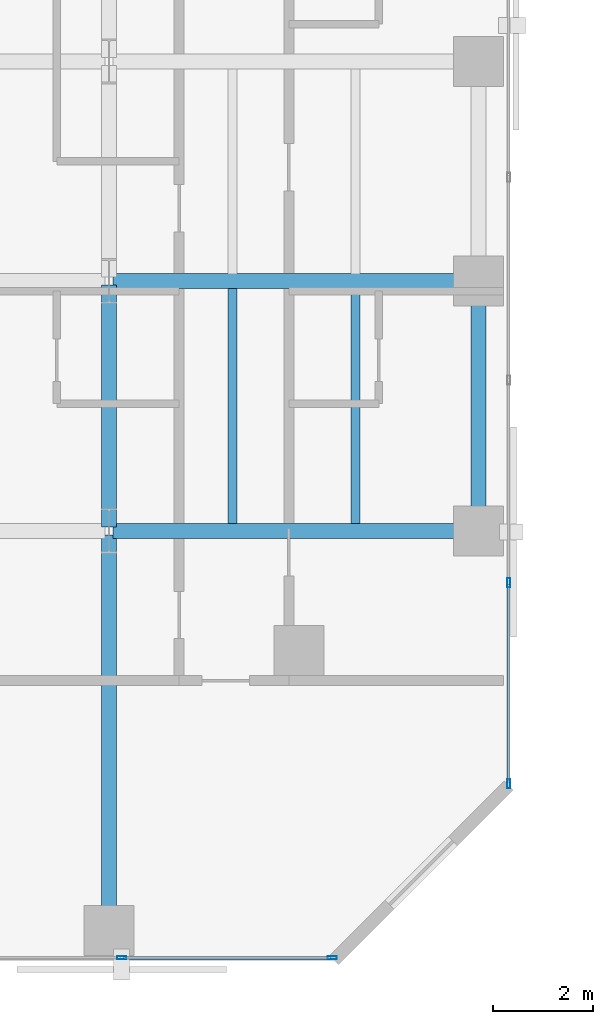
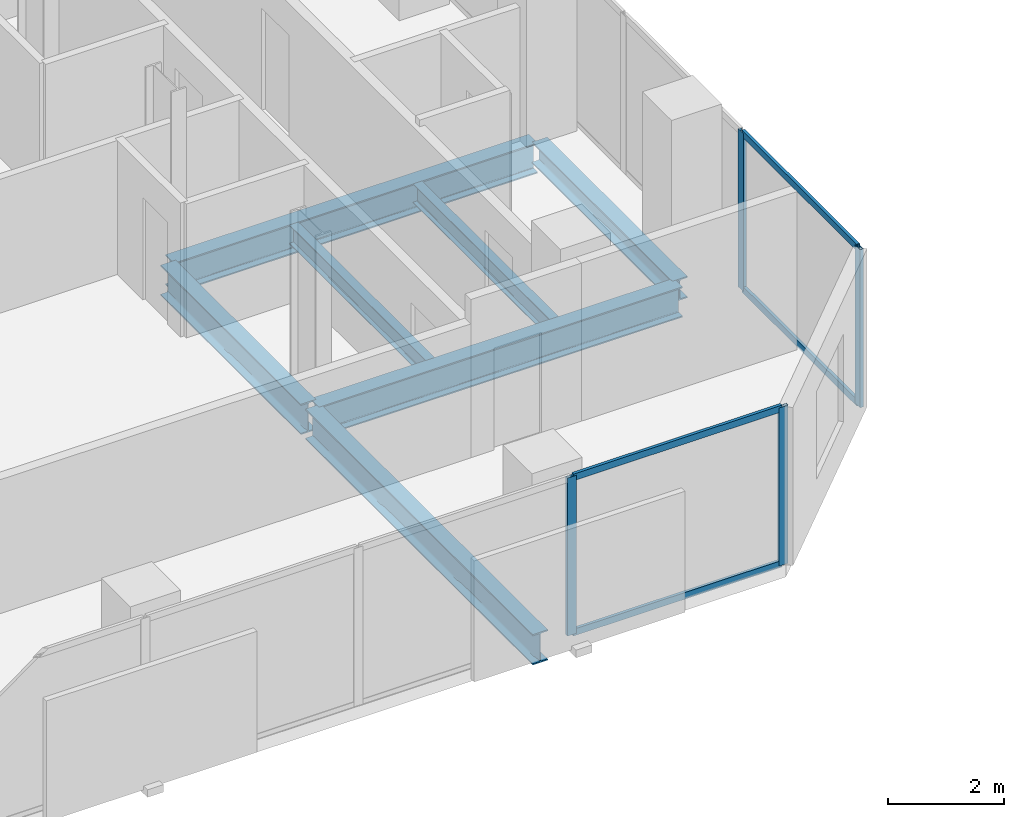
# One storey, part 6 of 31: 8 members, 7 beams, 2 elements without a shape of their own.
"""IFC4 building model written with IfcOpenShell, lengths in metres."""

from ifc_helpers import new_model, si_unit, direction, frame, origin, origin_2d, place, context, subcontext, project, spatial, hollow_rectangle, i_section, extrude, material, layer, layer_set, material_profile, profile_set, type_object, element, aggregate, save


model = new_model("IFC4")

# Units and contexts
model_context = context("Model", 3, precision=1e-05, world=origin(), true_north=direction((0.0, 1.0)))
body_context = subcontext(model_context, "Body", "Model", "MODEL_VIEW")
ifc_project = project(units=[si_unit("LENGTHUNIT", "METRE"), si_unit("AREAUNIT", "SQUARE_METRE"), si_unit("VOLUMEUNIT", "CUBIC_METRE"), si_unit("PLANEANGLEUNIT", "RADIAN"), si_unit("MASSUNIT", "GRAM", prefix="KILO")], contexts=[model_context])

# Site, building, storey
site_placement = place(None, origin())
site = spatial("IfcSite", under=ifc_project, at=site_placement, CompositionType="ELEMENT")
building_placement = place(site_placement, origin())
building = spatial("IfcBuilding", under=site, at=building_placement, Name="Catumbela Crestline Tower", CompositionType="ELEMENT")
storey_placement = place(building_placement, frame((0.0, 0.0, 36.6)))
storey = spatial("IfcBuildingStorey", under=building, at=storey_placement, Name="L08", CompositionType="ELEMENT", Elevation=36.6)

# Beams
ifc_material_1 = material(Name="Structural steel S355J2", Category="steel")
ifc_material_profile_1 = material_profile(ifc_material_1, i_section(OverallWidth=0.3, OverallDepth=0.64, WebThickness=0.0135, FlangeThickness=0.026, FilletRadius=0.027, at=origin_2d()), Name="HEA 650")
ifc_profile_set_1 = profile_set([ifc_material_profile_1], Name="Structural steel S355J2")
beam_type_1 = type_object("IfcBeamType", Name="BG-HEA650", PredefinedType="BEAM", material=ifc_profile_set_1)
for number, where, z_axis, x_axis, name in (
    (1, (16.08, 8.6, -0.58), (1.0, 0.0, 0.0), (0.0, 1.0, 0.0), "L08 Beam BM-L08-WEW50"),
    (2, (16.08, 13.6, -0.58), (1.0, 0.0, 0.0), (0.0, 1.0, 0.0), "L08 Beam BM-L08-WEW53"),
):
    element("IfcBeam", number, at=place(storey_placement, frame(where, z_axis=z_axis, x_axis=x_axis)), inside=storey, type_object=beam_type_1, Name=name, PredefinedType="BEAM", context=body_context, shape_type="SweptSolid", body=[
        extrude(i_section(OverallWidth=0.3, OverallDepth=0.64, WebThickness=0.0135, FlangeThickness=0.026, FilletRadius=0.027, at=origin_2d()), origin(), (0.0, 0.0, 1.0), 7.24),
    ])
beam_1_placement = place(storey_placement, frame((16.0, 0.68, -0.58), z_axis=(0.0, 1.0, 0.0), x_axis=(-1.0, 0.0, 0.0)))
element("IfcBeam", 3, at=beam_1_placement, inside=storey, type_object=beam_type_1, Name="L08 Beam BM-L08-WNS64", PredefinedType="BEAM", context=body_context, shape_type="SweptSolid", body=[
    extrude(i_section(OverallWidth=0.3, OverallDepth=0.64, WebThickness=0.0135, FlangeThickness=0.026, FilletRadius=0.027, at=origin_2d()), origin(), (0.0, 0.0, 1.0), 7.84),
])
beam_2_placement = place(storey_placement, frame((16.0, 8.68, -0.58), z_axis=(0.0, 1.0, 0.0), x_axis=(-1.0, 0.0, 0.0)))
element("IfcBeam", 4, at=beam_2_placement, inside=storey, type_object=beam_type_1, Name="L08 Beam BM-L08-WNS65", PredefinedType="BEAM", context=body_context, shape_type="SweptSolid", body=[
    extrude(i_section(OverallWidth=0.3, OverallDepth=0.64, WebThickness=0.0135, FlangeThickness=0.026, FilletRadius=0.027, at=origin_2d()), origin(), (0.0, 0.0, 1.0), 4.84),
])
ifc_material_profile_2 = material_profile(ifc_material_1, i_section(OverallWidth=0.18, OverallDepth=0.4, WebThickness=0.0086, FlangeThickness=0.0135, FilletRadius=0.021, at=origin_2d()), Name="IPE 400")
ifc_profile_set_2 = profile_set([ifc_material_profile_2], Name="Structural steel S355J2")
beam_type_2 = type_object("IfcBeamType", Name="BJ-IPE400", PredefinedType="JOIST", material=ifc_profile_set_2)
for number, where, z_axis, x_axis, name in (
    (5, (18.467, 8.747, -0.46), (0.0, 1.0, 0.0), (-1.0, 0.0, 0.0), "L08 Joist JS-L08-WG74"),
    (6, (20.933, 8.747, -0.46), (0.0, 1.0, 0.0), (-1.0, 0.0, 0.0), "L08 Joist JS-L08-WG75"),
):
    element("IfcBeam", number, at=place(storey_placement, frame(where, z_axis=z_axis, x_axis=x_axis)), inside=storey, type_object=beam_type_2, Name=name, PredefinedType="JOIST", context=body_context, shape_type="SweptSolid", body=[
        extrude(i_section(OverallWidth=0.18, OverallDepth=0.4, WebThickness=0.0086, FlangeThickness=0.0135, FilletRadius=0.021, at=origin_2d()), origin(), (0.0, 0.0, 1.0), 4.706),
    ])

# Curtain wall, members
ifc_material_2 = material(Name="Aluminium alloy AW-6060-T66", Category="aluminium")
ifc_layer = layer(ifc_material_2, 0.18, Name="Aluminium alloy AW-6060-T66")
ifc_layer_set = layer_set([ifc_layer], Name="Aluminium alloy AW-6060-T66")
curtain_wall_type = type_object("IfcCurtainWallType", Name="CWU-Z1", PredefinedType="USERDEFINED", material=ifc_layer_set)
curtain_wall_1_placement = place(storey_placement, origin())
curtain_wall_1 = element("IfcCurtainWall", 7, at=curtain_wall_1_placement, inside=storey, type_object=curtain_wall_type, Name="L08 Unitised Curtain Wall CW-L08-E0S1", ObjectType="UNITISED", PredefinedType="USERDEFINED")
ifc_material_profile_3 = material_profile(ifc_material_2, hollow_rectangle(XDim=0.065, YDim=0.18, WallThickness=0.004, at=origin_2d()), Name="ALU 180x65x4")
ifc_profile_set_3 = profile_set([ifc_material_profile_3], Name="Aluminium alloy AW-6060-T66")
member_type_1 = type_object("IfcMemberType", Name="MUL-180X65", PredefinedType="MULLION", material=ifc_profile_set_3)
member_1_placement = place(storey_placement, frame((16.25, 0.05, 0.0), z_axis=(0.0, 0.0, 1.0), x_axis=(0.0, 1.0, 0.0)))
member_1 = element("IfcMember", 8, at=member_1_placement, type_object=member_type_1, Name="CWU-Z1 mullion 4", PredefinedType="MULLION", context=body_context, shape_type="SweptSolid", body=[
    extrude(hollow_rectangle(XDim=0.065, YDim=0.18, WallThickness=0.004, at=origin_2d()), origin(), (0.0, 0.0, 1.0), 3.33),
])
member_2_placement = place(storey_placement, frame((20.4675, 0.05, 0.0), z_axis=(0.0, 0.0, 1.0), x_axis=(0.0, 1.0, 0.0)))
member_2 = element("IfcMember", 9, at=member_2_placement, type_object=member_type_1, Name="CWU-Z1 mullion 5", PredefinedType="MULLION", context=body_context, shape_type="SweptSolid", body=[
    extrude(hollow_rectangle(XDim=0.065, YDim=0.18, WallThickness=0.004, at=origin_2d()), origin(), (0.0, 0.0, 1.0), 3.33),
])

curtain_wall_2_placement = place(storey_placement, origin())
curtain_wall_2 = element("IfcCurtainWall", 10, at=curtain_wall_2_placement, inside=storey, type_object=curtain_wall_type, Name="L08 Unitised Curtain Wall CW-L08-E2S1", ObjectType="UNITISED", PredefinedType="USERDEFINED")
member_3_placement = place(storey_placement, frame((24.0, 3.5325, 0.0), z_axis=(0.0, 0.0, 1.0), x_axis=(-1.0, 0.0, 0.0)))
member_3 = element("IfcMember", 11, at=member_3_placement, type_object=member_type_1, Name="CWU-Z1 mullion 1", PredefinedType="MULLION", context=body_context, shape_type="SweptSolid", body=[
    extrude(hollow_rectangle(XDim=0.065, YDim=0.18, WallThickness=0.004, at=origin_2d()), origin(), (0.0, 0.0, 1.0), 3.33),
])
member_4_placement = place(storey_placement, frame((24.0, 7.56, 0.0), z_axis=(0.0, 0.0, 1.0), x_axis=(-1.0, 0.0, 0.0)))
member_4 = element("IfcMember", 12, at=member_4_placement, type_object=member_type_1, Name="CWU-Z1 mullion 2", PredefinedType="MULLION", context=body_context, shape_type="SweptSolid", body=[
    extrude(hollow_rectangle(XDim=0.065, YDim=0.18, WallThickness=0.004, at=origin_2d()), origin(), (0.0, 0.0, 1.0), 3.33),
])

# Beam
ifc_material_profile_4 = material_profile(ifc_material_1, i_section(OverallWidth=0.3, OverallDepth=0.45, WebThickness=0.014, FlangeThickness=0.026, FilletRadius=0.027, at=origin_2d()), Name="HEB 450")
ifc_profile_set_4 = profile_set([ifc_material_profile_4], Name="Structural steel S355J2")
beam_type_3 = type_object("IfcBeamType", Name="BS-HEB450", PredefinedType="SPANDREL", material=ifc_profile_set_4)
beam_3_placement = place(storey_placement, frame((23.4, 8.68, -0.485), z_axis=(0.0, 1.0, 0.0), x_axis=(-1.0, 0.0, 0.0)))
element("IfcBeam", 13, at=beam_3_placement, inside=storey, type_object=beam_type_3, Name="L08 Spandrel SP-L08-WNS68", PredefinedType="SPANDREL", context=body_context, shape_type="SweptSolid", body=[
    extrude(i_section(OverallWidth=0.3, OverallDepth=0.45, WebThickness=0.014, FlangeThickness=0.026, FilletRadius=0.027, at=origin_2d()), origin(), (0.0, 0.0, 1.0), 4.84),
])

# Member
ifc_material_profile_5 = material_profile(ifc_material_2, hollow_rectangle(XDim=0.06, YDim=0.14, WallThickness=0.004, at=origin_2d()), Name="ALU 140x60x4")
ifc_profile_set_5 = profile_set([ifc_material_profile_5], Name="Aluminium alloy AW-6060-T66")
member_type_2 = type_object("IfcMemberType", Name="TRN-140X60", PredefinedType="USERDEFINED", material=ifc_profile_set_5)
member_5_placement = place(storey_placement, frame((16.2825, 0.05, 0.03), z_axis=(1.0, 0.0, 0.0), x_axis=(0.0, 1.0, 0.0)))
member_5 = element("IfcMember", 14, at=member_5_placement, type_object=member_type_2, Name="CWU-Z1 transom 4.1", ObjectType="TRANSOM", PredefinedType="USERDEFINED", context=body_context, shape_type="SweptSolid", body=[
    extrude(hollow_rectangle(XDim=0.06, YDim=0.14, WallThickness=0.004, at=origin_2d()), origin(), (0.0, 0.0, 1.0), 4.1525),
])

member_6_placement = place(storey_placement, frame((16.2825, 0.05, 3.3), z_axis=(1.0, 0.0, 0.0), x_axis=(0.0, 1.0, 0.0)))
member_6 = element("IfcMember", 15, at=member_6_placement, type_object=member_type_2, Name="CWU-Z1 transom 4.2", ObjectType="TRANSOM", PredefinedType="USERDEFINED", context=body_context, shape_type="SweptSolid", body=[
    extrude(hollow_rectangle(XDim=0.06, YDim=0.14, WallThickness=0.004, at=origin_2d()), origin(), (0.0, 0.0, 1.0), 4.1525),
])

aggregate(curtain_wall_1, [member_1, member_2, member_5, member_6])

member_7_placement = place(storey_placement, frame((24.0, 3.565, 0.03), z_axis=(0.0, 1.0, 0.0), x_axis=(-1.0, 0.0, 0.0)))
member_7 = element("IfcMember", 16, at=member_7_placement, type_object=member_type_2, Name="CWU-Z1 transom 1.1", ObjectType="TRANSOM", PredefinedType="USERDEFINED", context=body_context, shape_type="SweptSolid", body=[
    extrude(hollow_rectangle(XDim=0.06, YDim=0.14, WallThickness=0.004, at=origin_2d()), origin(), (0.0, 0.0, 1.0), 3.9625),
])

member_8_placement = place(storey_placement, frame((24.0, 3.565, 3.3), z_axis=(0.0, 1.0, 0.0), x_axis=(-1.0, 0.0, 0.0)))
member_8 = element("IfcMember", 17, at=member_8_placement, type_object=member_type_2, Name="CWU-Z1 transom 1.2", ObjectType="TRANSOM", PredefinedType="USERDEFINED", context=body_context, shape_type="SweptSolid", body=[
    extrude(hollow_rectangle(XDim=0.06, YDim=0.14, WallThickness=0.004, at=origin_2d()), origin(), (0.0, 0.0, 1.0), 3.9625),
])

aggregate(curtain_wall_2, [member_3, member_4, member_7, member_8])

save(model, "model.ifc")
